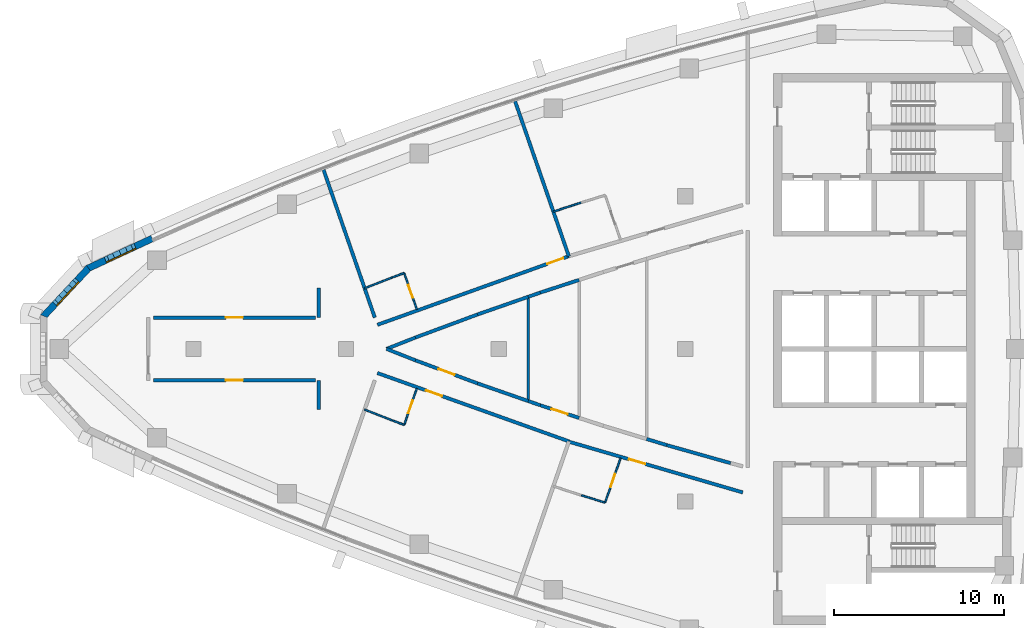
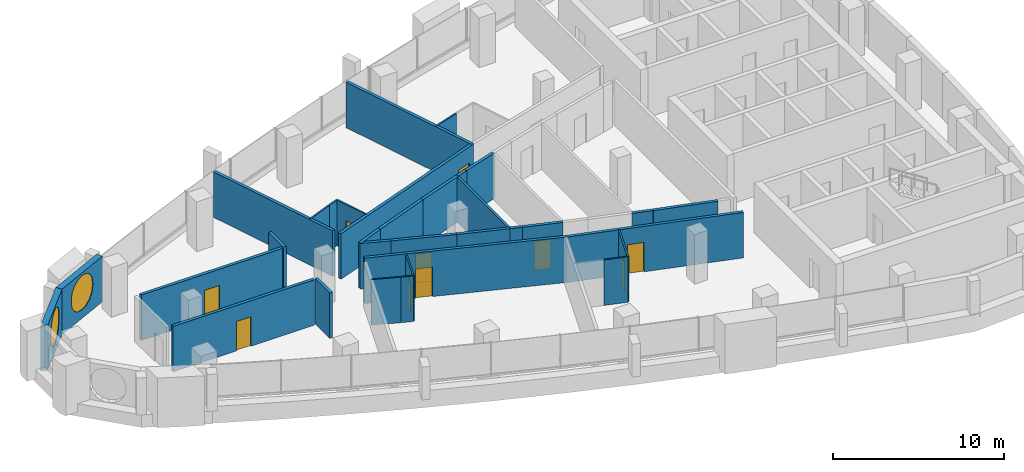
# One storey, part 7 of 14: 33 walls, 10 doors, 2 windows, 12 openings.
"""IFC4 building model written with IfcOpenShell, lengths in metres."""

from ifc_helpers import new_model, si_unit, direction, frame, frame_2d, origin, place, context, subcontext, project, spatial, polyline, rectangle, outline, extrude, material, layer, layer_set, type_object, element, fill, save


model = new_model("IFC4")

# Units and contexts
model_context = context("Model", 3, precision=1e-05, world=origin(), true_north=direction((0.0, 1.0)))
body_context = subcontext(model_context, "Body", "Model", "MODEL_VIEW")
ifc_project = project(units=[si_unit("LENGTHUNIT", "METRE"), si_unit("AREAUNIT", "SQUARE_METRE"), si_unit("VOLUMEUNIT", "CUBIC_METRE"), si_unit("PLANEANGLEUNIT", "RADIAN"), si_unit("MASSUNIT", "GRAM", prefix="KILO")], contexts=[model_context])

# Site, building, storey
site_placement = place(None, origin())
site = spatial("IfcSite", under=ifc_project, at=site_placement, CompositionType="ELEMENT")
building_placement = place(site_placement, origin())
building = spatial("IfcBuilding", under=site, at=building_placement, Name="Ostrand Prow Hotel Tower", CompositionType="ELEMENT")
storey_placement = place(building_placement, frame((0.0, 0.0, 278.550048828125)))
storey = spatial("IfcBuildingStorey", under=building, at=storey_placement, Name="L70", CompositionType="ELEMENT", Elevation=278.550048828125)

# Walls
ifc_material_1 = material(Name="Plasterboard partition")
ifc_layer_1 = layer(ifc_material_1, 0.10009765625)
ifc_layer_set_1 = layer_set([ifc_layer_1], Name="Plasterboard partition")
wall_type_1 = type_object("IfcWallType", Name="Partition 100 bathroom wall", PredefinedType="PARTITIONING", material=ifc_layer_set_1)
wall_1_placement = place(storey_placement, frame((26.095703125, 3.576171875, 0.0), z_axis=(0.0, 0.0, 1.0), x_axis=(0.930254925629, 0.366913850028, 0.0)))
element("IfcWall", 1, at=wall_1_placement, inside=storey, type_object=wall_type_1, Name="BATHROOM WALL", PredefinedType="PARTITIONING", context=body_context, shape_type="SweptSolid", body=[
    extrude(rectangle(XDim=1.760009765625, YDim=0.10009765625, at=frame_2d((0.8798828125, 0.0))), origin(), (0.0, 0.0, 1.0), 3.25),
])
wall_2_placement = place(storey_placement, frame((27.73291015625, 4.221923828125, 0.0), z_axis=(0.0, 0.0, 1.0), x_axis=(0.937514267289, 0.347946833049, 0.0)))
element("IfcWall", 2, at=wall_2_placement, inside=storey, type_object=wall_type_1, Name="BATHROOM WALL", PredefinedType="PARTITIONING", context=body_context, shape_type="SweptSolid", body=[
    extrude(rectangle(XDim=0.74169921875, YDim=0.10009765625, at=frame_2d((0.370849609375, 0.0))), origin(), (0.0, 0.0, 1.0), 3.25),
])

# Wall, opening, door
wall_3_placement = place(storey_placement, frame((28.42822265625, 4.47998046875, 0.0), z_axis=(0.0, 0.0, 1.0), x_axis=(0.327718024288, -0.944775579996, 0.0)))
wall_3 = element("IfcWall", 3, at=wall_3_placement, inside=storey, type_object=wall_type_1, Name="BATHROOM WALL", PredefinedType="PARTITIONING", context=body_context, shape_type="SweptSolid", body=[
    extrude(rectangle(XDim=2.27734375, YDim=0.10009765625, at=frame_2d((1.138671875, 0.0))), origin(), (0.0, 0.0, 1.0), 3.25),
])
opening_1_placement = place(wall_3_placement, frame((0.75, 0.0, 0.0)))
opening_1 = element("IfcOpeningElement", 4, at=opening_1_placement, cuts=wall_3, Name="Opening D2", PredefinedType="OPENING", context=body_context, shape_type="SweptSolid", body=[
    extrude(rectangle(XDim=0.800048828125, YDim=2.10009765625, at=frame_2d((0.39990234375, 1.050048828125))), frame((0.0, 0.06005859375, 0.0), z_axis=(0.0, -1.0, 0.0), x_axis=(1.0, 0.0, 0.0)), (0.0, 0.0, 1.0), 0.1201171875),
])
ifc_material_2 = material(Name="Timber door leaf", Category="wood")
door_type_1 = type_object("IfcDoorType", Name="Bathroom door 800", OperationType="SINGLE_SWING_LEFT", PredefinedType="DOOR", material=ifc_material_2)
door_1_placement = place(opening_1_placement, origin())
door_1 = element("IfcDoor", 5, at=door_1_placement, inside=storey, type_object=door_type_1, Name="DOOR", OperationType="SINGLE_SWING_LEFT", OverallHeight=2.10009765625, OverallWidth=0.800048828125, PredefinedType="DOOR", context=body_context, shape_type="SweptSolid", body=[
    extrude(rectangle(XDim=0.800048828125, YDim=2.10009765625, at=frame_2d((0.39990234375, 1.050048828125))), frame((0.0, 0.02490234375, 0.0), z_axis=(0.0, -1.0, 0.0), x_axis=(1.0, 0.0, 0.0)), (0.0, 0.0, 1.0), 0.050048828125),
])
fill(opening_1, door_1)

# Wall
wall_4_placement = place(storey_placement, frame((37.228515625, 8.09814453125, 0.0), z_axis=(0.0, 0.0, 1.0), x_axis=(0.950684866901, 0.31015848182, 0.0)))
element("IfcWall", 6, at=wall_4_placement, inside=storey, type_object=wall_type_1, Name="BATHROOM WALL", PredefinedType="PARTITIONING", context=body_context, shape_type="SweptSolid", body=[
    extrude(rectangle(XDim=1.739501953125, YDim=0.10009765625, at=frame_2d((0.86962890625, 0.0))), origin(), (0.0, 0.0, 1.0), 3.25),
])

# Wall, opening, door
wall_5_placement = place(storey_placement, frame((29.174560546875, -2.328369140625, 0.0), z_axis=(0.0, 0.0, 1.0), x_axis=(-0.327718024288, -0.944775579996, 0.0)))
wall_5 = element("IfcWall", 7, at=wall_5_placement, inside=storey, type_object=wall_type_1, Name="BATHROOM WALL", PredefinedType="PARTITIONING", context=body_context, shape_type="SweptSolid", body=[
    extrude(rectangle(XDim=2.27734375, YDim=0.10009765625, at=frame_2d((1.138671875, 0.0))), origin(), (0.0, 0.0, 1.0), 3.25),
])
opening_2_placement = place(wall_5_placement, frame((0.75, 0.0, 0.0)))
opening_2 = element("IfcOpeningElement", 8, at=opening_2_placement, cuts=wall_5, Name="Opening D2", PredefinedType="OPENING", context=body_context, shape_type="SweptSolid", body=[
    extrude(rectangle(XDim=0.800048828125, YDim=2.10009765625, at=frame_2d((0.39990234375, 1.050048828125))), frame((0.0, 0.06005859375, 0.0), z_axis=(0.0, -1.0, 0.0), x_axis=(1.0, 0.0, 0.0)), (0.0, 0.0, 1.0), 0.1201171875),
])
door_2_placement = place(opening_2_placement, origin())
door_2 = element("IfcDoor", 9, at=door_2_placement, inside=storey, type_object=door_type_1, Name="DOOR", OperationType="SINGLE_SWING_LEFT", OverallHeight=2.10009765625, OverallWidth=0.800048828125, PredefinedType="DOOR", context=body_context, shape_type="SweptSolid", body=[
    extrude(rectangle(XDim=0.800048828125, YDim=2.10009765625, at=frame_2d((0.39990234375, 1.050048828125))), frame((0.0, 0.02490234375, 0.0), z_axis=(0.0, -1.0, 0.0), x_axis=(1.0, 0.0, 0.0)), (0.0, 0.0, 1.0), 0.050048828125),
])
fill(opening_2, door_2)

# Walls
wall_6_placement = place(storey_placement, frame((28.42822265625, -4.47998046875, 0.0), z_axis=(0.0, 0.0, 1.0), x_axis=(-0.937514267289, 0.347946833049, 0.0)))
element("IfcWall", 10, at=wall_6_placement, inside=storey, type_object=wall_type_1, Name="BATHROOM WALL", PredefinedType="PARTITIONING", context=body_context, shape_type="SweptSolid", body=[
    extrude(rectangle(XDim=0.74169921875, YDim=0.10009765625, at=frame_2d((0.370849609375, 0.0))), origin(), (0.0, 0.0, 1.0), 3.25),
])
wall_7_placement = place(storey_placement, frame((27.73291015625, -4.221923828125, 0.0), z_axis=(0.0, 0.0, 1.0), x_axis=(-0.930254925629, 0.366913850028, 0.0)))
element("IfcWall", 11, at=wall_7_placement, inside=storey, type_object=wall_type_1, Name="BATHROOM WALL", PredefinedType="PARTITIONING", context=body_context, shape_type="SweptSolid", body=[
    extrude(rectangle(XDim=1.760009765625, YDim=0.10009765625, at=frame_2d((0.8798828125, 0.0))), origin(), (0.0, 0.0, 1.0), 3.25),
])

# Wall, opening, door
wall_8_placement = place(storey_placement, frame((41.191650390625, -6.437255859375, 0.0), z_axis=(0.0, 0.0, 1.0), x_axis=(-0.327695885805, -0.944783258968, 0.0)))
wall_8 = element("IfcWall", 12, at=wall_8_placement, inside=storey, type_object=wall_type_1, Name="BATHROOM WALL", PredefinedType="PARTITIONING", context=body_context, shape_type="SweptSolid", body=[
    extrude(rectangle(XDim=2.779052734375, YDim=0.10009765625, at=frame_2d((1.3896484375, 0.0))), origin(), (0.0, 0.0, 1.0), 3.25),
])
opening_3_placement = place(wall_8_placement, frame((1.0, 0.0, 0.0)))
opening_3 = element("IfcOpeningElement", 13, at=opening_3_placement, cuts=wall_8, Name="Opening D2", PredefinedType="OPENING", context=body_context, shape_type="SweptSolid", body=[
    extrude(rectangle(XDim=0.800048828125, YDim=2.10009765625, at=frame_2d((0.39990234375, 1.050048828125))), frame((0.0, 0.06005859375, 0.0), z_axis=(0.0, -1.0, 0.0), x_axis=(1.0, 0.0, 0.0)), (0.0, 0.0, 1.0), 0.1201171875),
])
door_3_placement = place(opening_3_placement, origin())
door_3 = element("IfcDoor", 14, at=door_3_placement, inside=storey, type_object=door_type_1, Name="DOOR", OperationType="SINGLE_SWING_LEFT", OverallHeight=2.10009765625, OverallWidth=0.800048828125, PredefinedType="DOOR", context=body_context, shape_type="SweptSolid", body=[
    extrude(rectangle(XDim=0.800048828125, YDim=2.10009765625, at=frame_2d((0.39990234375, 1.050048828125))), frame((0.0, 0.02490234375, 0.0), z_axis=(0.0, -1.0, 0.0), x_axis=(1.0, 0.0, 0.0)), (0.0, 0.0, 1.0), 0.050048828125),
])
fill(opening_3, door_3)

# Walls
wall_9_placement = place(storey_placement, frame((40.28076171875, -9.06298828125, 0.0), z_axis=(0.0, 0.0, 1.0), x_axis=(-0.956734544447, 0.290962216555, 0.0)))
element("IfcWall", 15, at=wall_9_placement, inside=storey, type_object=wall_type_1, Name="BATHROOM WALL", PredefinedType="PARTITIONING", context=body_context, shape_type="SweptSolid", body=[
    extrude(rectangle(XDim=1.461669921875, YDim=0.10009765625, at=frame_2d((0.73095703125, 0.0))), origin(), (0.0, 0.0, 1.0), 3.25),
])
ifc_material_3 = material(Name="Plasterboard partition")
ifc_layer_2 = layer(ifc_material_3, 0.14990234375)
ifc_layer_set_2 = layer_set([ifc_layer_2], Name="Plasterboard partition")
wall_type_2 = type_object("IfcWallType", Name="Partition 150 room partition", PredefinedType="PARTITIONING", material=ifc_layer_set_2)
wall_10_placement = place(storey_placement, frame((35.746337890625, -3.075927734375, 0.0), z_axis=(0.0, 0.0, 1.0), x_axis=(0.0, 1.0, 0.0)))
element("IfcWall", 16, at=wall_10_placement, inside=storey, type_object=wall_type_2, Name="ROOM PARTITION", PredefinedType="PARTITIONING", context=body_context, shape_type="SweptSolid", body=[
    extrude(rectangle(XDim=6.15185546875, YDim=0.14990234375, at=frame_2d((3.075927734375, 0.0))), origin(), (0.0, 0.0, 1.0), 3.25),
])

# Wall, opening, door
ifc_material_4 = material(Name="Plasterboard partition")
ifc_layer_3 = layer(ifc_material_4, 0.199951171875)
ifc_layer_set_3 = layer_set([ifc_layer_3], Name="Plasterboard partition")
wall_type_3 = type_object("IfcWallType", Name="Partition 200 corridor wall", PredefinedType="PARTITIONING", material=ifc_layer_set_3)
wall_11_placement = place(storey_placement, frame((13.63720703125, 1.85009765625, 0.0), z_axis=(0.0, 0.0, 1.0), x_axis=(1.0, 0.0, 0.0)))
wall_11 = element("IfcWall", 17, at=wall_11_placement, inside=storey, type_object=wall_type_3, Name="CORRIDOR WALL", PredefinedType="PARTITIONING", context=body_context, shape_type="SweptSolid", body=[
    extrude(rectangle(XDim=9.548583984375, YDim=0.199951171875, at=frame_2d((4.7744140625, 0.0))), origin(), (0.0, 0.0, 1.0), 3.25),
])
opening_4_placement = place(wall_11_placement, frame((4.2744140625, 0.0, 0.0)))
opening_4 = element("IfcOpeningElement", 18, at=opening_4_placement, cuts=wall_11, Name="Opening D1", PredefinedType="OPENING", context=body_context, shape_type="SweptSolid", body=[
    extrude(rectangle(XDim=1.0, YDim=2.10009765625, at=frame_2d((0.5, 1.050048828125))), frame((0.0, 0.10986328125, 0.0), z_axis=(0.0, -1.0, 0.0), x_axis=(1.0, 0.0, 0.0)), (0.0, 0.0, 1.0), 0.219970703125),
])
ifc_material_5 = material(Name="Timber door leaf", Category="wood")
door_type_2 = type_object("IfcDoorType", Name="Guest room door 1000", OperationType="SINGLE_SWING_LEFT", PredefinedType="DOOR", material=ifc_material_5)
door_4_placement = place(opening_4_placement, origin())
door_4 = element("IfcDoor", 19, at=door_4_placement, inside=storey, type_object=door_type_2, Name="DOOR", OperationType="SINGLE_SWING_LEFT", OverallHeight=2.10009765625, OverallWidth=1.0, PredefinedType="DOOR", context=body_context, shape_type="SweptSolid", body=[
    extrude(rectangle(XDim=1.0, YDim=2.10009765625, at=frame_2d((0.5, 1.050048828125))), frame((0.0, 0.02490234375, 0.0), z_axis=(0.0, -1.0, 0.0), x_axis=(1.0, 0.0, 0.0)), (0.0, 0.0, 1.0), 0.050048828125),
])
fill(opening_4, door_4)

wall_12_placement = place(storey_placement, frame((13.63720703125, -1.85009765625, 0.0), z_axis=(0.0, 0.0, 1.0), x_axis=(1.0, 0.0, 0.0)))
wall_12 = element("IfcWall", 20, at=wall_12_placement, inside=storey, type_object=wall_type_3, Name="CORRIDOR WALL", PredefinedType="PARTITIONING", context=body_context, shape_type="SweptSolid", body=[
    extrude(rectangle(XDim=9.548583984375, YDim=0.199951171875, at=frame_2d((4.7744140625, 0.0))), origin(), (0.0, 0.0, 1.0), 3.25),
])
opening_5_placement = place(wall_12_placement, frame((4.2744140625, 0.0, 0.0)))
opening_5 = element("IfcOpeningElement", 21, at=opening_5_placement, cuts=wall_12, Name="Opening D1R", PredefinedType="OPENING", context=body_context, shape_type="SweptSolid", body=[
    extrude(rectangle(XDim=1.0, YDim=2.10009765625, at=frame_2d((0.5, 1.050048828125))), frame((0.0, 0.10986328125, 0.0), z_axis=(0.0, -1.0, 0.0), x_axis=(1.0, 0.0, 0.0)), (0.0, 0.0, 1.0), 0.219970703125),
])
ifc_material_6 = material(Name="Timber door leaf", Category="wood")
door_type_3 = type_object("IfcDoorType", Name="Guest room door 1000 right", OperationType="SINGLE_SWING_RIGHT", PredefinedType="DOOR", material=ifc_material_6)
door_5_placement = place(opening_5_placement, origin())
door_5 = element("IfcDoor", 22, at=door_5_placement, inside=storey, type_object=door_type_3, Name="DOOR", OperationType="SINGLE_SWING_RIGHT", OverallHeight=2.10009765625, OverallWidth=1.0, PredefinedType="DOOR", context=body_context, shape_type="SweptSolid", body=[
    extrude(rectangle(XDim=1.0, YDim=2.10009765625, at=frame_2d((0.5, 1.050048828125))), frame((0.0, 0.02490234375, 0.0), z_axis=(0.0, -1.0, 0.0), x_axis=(1.0, 0.0, 0.0)), (0.0, 0.0, 1.0), 0.050048828125),
])
fill(opening_5, door_5)

wall_13_placement = place(storey_placement, frame((38.1396484375, 5.47119140625, 0.0), z_axis=(0.0, 0.0, 1.0), x_axis=(-0.94130914227, -0.337545698653, 0.0)))
wall_13 = element("IfcWall", 23, at=wall_13_placement, inside=storey, type_object=wall_type_3, Name="CORRIDOR WALL", PredefinedType="PARTITIONING", context=body_context, shape_type="SweptSolid", body=[
    extrude(rectangle(XDim=11.993408203125, YDim=0.199951171875, at=frame_2d((5.99658203125, 0.0))), origin(), (0.0, 0.0, 1.0), 3.25),
])
opening_6_placement = place(wall_13_placement, frame((0.35009765625, 0.0, 0.0)))
opening_6 = element("IfcOpeningElement", 24, at=opening_6_placement, cuts=wall_13, Name="Opening D1", PredefinedType="OPENING", context=body_context, shape_type="SweptSolid", body=[
    extrude(rectangle(XDim=1.0, YDim=2.10009765625, at=frame_2d((0.5, 1.050048828125))), frame((0.0, 0.10986328125, 0.0), z_axis=(0.0, -1.0, 0.0), x_axis=(1.0, 0.0, 0.0)), (0.0, 0.0, 1.0), 0.219970703125),
])
door_6_placement = place(opening_6_placement, origin())
door_6 = element("IfcDoor", 25, at=door_6_placement, inside=storey, type_object=door_type_2, Name="DOOR", OperationType="SINGLE_SWING_LEFT", OverallHeight=2.10009765625, OverallWidth=1.0, PredefinedType="DOOR", context=body_context, shape_type="SweptSolid", body=[
    extrude(rectangle(XDim=1.0, YDim=2.10009765625, at=frame_2d((0.5, 1.050048828125))), frame((0.0, 0.02490234375, 0.0), z_axis=(0.0, -1.0, 0.0), x_axis=(1.0, 0.0, 0.0)), (0.0, 0.0, 1.0), 0.050048828125),
])
fill(opening_6, door_6)

wall_14_placement = place(storey_placement, frame((26.85009765625, -1.4228515625, 0.0), z_axis=(0.0, 0.0, 1.0), x_axis=(0.941868496397, -0.335981748753, 0.0)))
wall_14 = element("IfcWall", 26, at=wall_14_placement, inside=storey, type_object=wall_type_3, Name="CORRIDOR WALL", PredefinedType="PARTITIONING", context=body_context, shape_type="SweptSolid", body=[
    extrude(rectangle(XDim=11.993408203125, YDim=0.199951171875, at=frame_2d((5.99658203125, 0.0))), origin(), (0.0, 0.0, 1.0), 3.25),
])
opening_7_placement = place(wall_14_placement, frame((3.050048828125, 0.0, 0.0)))
opening_7 = element("IfcOpeningElement", 27, at=opening_7_placement, cuts=wall_14, Name="Opening D1", PredefinedType="OPENING", context=body_context, shape_type="SweptSolid", body=[
    extrude(rectangle(XDim=1.0, YDim=2.10009765625, at=frame_2d((0.5, 1.050048828125))), frame((0.0, 0.10986328125, 0.0), z_axis=(0.0, -1.0, 0.0), x_axis=(1.0, 0.0, 0.0)), (0.0, 0.0, 1.0), 0.219970703125),
])
door_7_placement = place(opening_7_placement, origin())
door_7 = element("IfcDoor", 28, at=door_7_placement, inside=storey, type_object=door_type_2, Name="DOOR", OperationType="SINGLE_SWING_LEFT", OverallHeight=2.10009765625, OverallWidth=1.0, PredefinedType="DOOR", context=body_context, shape_type="SweptSolid", body=[
    extrude(rectangle(XDim=1.0, YDim=2.10009765625, at=frame_2d((0.5, 1.050048828125))), frame((0.0, 0.02490234375, 0.0), z_axis=(0.0, -1.0, 0.0), x_axis=(1.0, 0.0, 0.0)), (0.0, 0.0, 1.0), 0.050048828125),
])
fill(opening_7, door_7)

wall_15_placement = place(storey_placement, frame((32.759765625, -2.034912109375, 0.0), z_axis=(0.0, 0.0, 1.0), x_axis=(-0.937460178932, 0.348092534992, 0.0)))
wall_15 = element("IfcWall", 29, at=wall_15_placement, inside=storey, type_object=wall_type_3, Name="CORRIDOR WALL", PredefinedType="PARTITIONING", context=body_context, shape_type="SweptSolid", body=[
    extrude(rectangle(XDim=3.912841796875, YDim=0.199951171875, at=frame_2d((1.95654296875, 0.0))), origin(), (0.0, 0.0, 1.0), 3.25),
])
opening_8_placement = place(wall_15_placement, frame((1.45654296875, 0.0, 0.0)))
opening_8 = element("IfcOpeningElement", 30, at=opening_8_placement, cuts=wall_15, Name="Opening D1R", PredefinedType="OPENING", context=body_context, shape_type="SweptSolid", body=[
    extrude(rectangle(XDim=1.0, YDim=2.10009765625, at=frame_2d((0.5, 1.050048828125))), frame((0.0, 0.10986328125, 0.0), z_axis=(0.0, -1.0, 0.0), x_axis=(1.0, 0.0, 0.0)), (0.0, 0.0, 1.0), 0.219970703125),
])
door_8_placement = place(opening_8_placement, origin())
door_8 = element("IfcDoor", 31, at=door_8_placement, inside=storey, type_object=door_type_3, Name="DOOR", OperationType="SINGLE_SWING_RIGHT", OverallHeight=2.10009765625, OverallWidth=1.0, PredefinedType="DOOR", context=body_context, shape_type="SweptSolid", body=[
    extrude(rectangle(XDim=1.0, YDim=2.10009765625, at=frame_2d((0.5, 1.050048828125))), frame((0.0, 0.02490234375, 0.0), z_axis=(0.0, -1.0, 0.0), x_axis=(1.0, 0.0, 0.0)), (0.0, 0.0, 1.0), 0.050048828125),
])
fill(opening_8, door_8)

# Walls
for number, where, z_axis, x_axis, name in (
    (32, (29.091552734375, -0.6728515625, 0.0), (0.0, 0.0, 1.0), (-0.930265251482, 0.366887669302, 0.0), "CORRIDOR WALL"),
    (33, (27.385498046875, 0.0, 0.0), (0.0, 0.0, 1.0), (0.930265251482, 0.366887669302, 0.0), "CORRIDOR WALL"),
):
    element("IfcWall", number, at=place(storey_placement, frame(where, z_axis=z_axis, x_axis=x_axis)), inside=storey, type_object=wall_type_3, Name=name, PredefinedType="PARTITIONING", context=body_context, shape_type="SweptSolid", body=[
        extrude(rectangle(XDim=1.833984375, YDim=0.199951171875, at=frame_2d((0.9169921875, 0.0))), origin(), (0.0, 0.0, 1.0), 3.25),
    ])
wall_16_placement = place(storey_placement, frame((29.091552734375, 0.6728515625, 0.0), z_axis=(0.0, 0.0, 1.0), x_axis=(0.937460178932, 0.348092534992, 0.0)))
element("IfcWall", 34, at=wall_16_placement, inside=storey, type_object=wall_type_3, Name="CORRIDOR WALL", PredefinedType="PARTITIONING", context=body_context, shape_type="SweptSolid", body=[
    extrude(rectangle(XDim=3.912841796875, YDim=0.199951171875, at=frame_2d((1.95654296875, 0.0))), origin(), (0.0, 0.0, 1.0), 3.25),
])
for number, where, z_axis, x_axis, name in (
    (35, (32.759765625, 2.034912109375, 0.0), (0.0, 0.0, 1.0), (0.944279987428, 0.329143289986, 0.0), "CORRIDOR WALL"),
    (36, (35.746337890625, -3.075927734375, 0.0), (0.0, 0.0, 1.0), (-0.944279987428, 0.329143289986, 0.0), "CORRIDOR WALL"),
):
    element("IfcWall", number, at=place(storey_placement, frame(where, z_axis=z_axis, x_axis=x_axis)), inside=storey, type_object=wall_type_3, Name=name, PredefinedType="PARTITIONING", context=body_context, shape_type="SweptSolid", body=[
        extrude(rectangle(XDim=3.162841796875, YDim=0.199951171875, at=frame_2d((1.58154296875, 0.0))), origin(), (0.0, 0.0, 1.0), 3.25),
    ])

# Wall, opening, door
wall_17_placement = place(storey_placement, frame((38.746337890625, -4.0703125, 0.0), z_axis=(0.0, 0.0, 1.0), x_axis=(-0.950699334583, 0.310114132576, 0.0)))
wall_17 = element("IfcWall", 37, at=wall_17_placement, inside=storey, type_object=wall_type_3, Name="CORRIDOR WALL", PredefinedType="PARTITIONING", context=body_context, shape_type="SweptSolid", body=[
    extrude(rectangle(XDim=2.41064453125, YDim=0.199951171875, at=frame_2d((1.205322265625, 0.0))), origin(), (0.0, 0.0, 1.0), 3.25),
])
opening_9_placement = place(wall_17_placement, frame((0.705322265625, 0.0, 0.0)))
opening_9 = element("IfcOpeningElement", 38, at=opening_9_placement, cuts=wall_17, Name="Opening D1", PredefinedType="OPENING", context=body_context, shape_type="SweptSolid", body=[
    extrude(rectangle(XDim=1.0, YDim=2.10009765625, at=frame_2d((0.5, 1.050048828125))), frame((0.0, 0.10986328125, 0.0), z_axis=(0.0, -1.0, 0.0), x_axis=(1.0, 0.0, 0.0)), (0.0, 0.0, 1.0), 0.219970703125),
])
door_9_placement = place(opening_9_placement, origin())
door_9 = element("IfcDoor", 39, at=door_9_placement, inside=storey, type_object=door_type_2, Name="DOOR", OperationType="SINGLE_SWING_LEFT", OverallHeight=2.10009765625, OverallWidth=1.0, PredefinedType="DOOR", context=body_context, shape_type="SweptSolid", body=[
    extrude(rectangle(XDim=1.0, YDim=2.10009765625, at=frame_2d((0.5, 1.050048828125))), frame((0.0, 0.02490234375, 0.0), z_axis=(0.0, -1.0, 0.0), x_axis=(1.0, 0.0, 0.0)), (0.0, 0.0, 1.0), 0.050048828125),
])
fill(opening_9, door_9)

# Walls
for number, where, z_axis, x_axis, name in (
    (40, (36.45458984375, -3.32275390625, 0.0), (0.0, 0.0, 1.0), (-0.944299015519, 0.329088695171, 0.0), "CORRIDOR WALL"),
    (41, (35.746337890625, 3.075927734375, 0.0), (0.0, 0.0, 1.0), (0.944299015519, 0.329088695171, 0.0), "CORRIDOR WALL"),
):
    element("IfcWall", number, at=place(storey_placement, frame(where, z_axis=z_axis, x_axis=x_axis)), inside=storey, type_object=wall_type_3, Name=name, PredefinedType="PARTITIONING", context=body_context, shape_type="SweptSolid", body=[
        extrude(rectangle(XDim=0.75, YDim=0.199951171875, at=frame_2d((0.375, 0.0))), origin(), (0.0, 0.0, 1.0), 3.25),
    ])
wall_18_placement = place(storey_placement, frame((36.45458984375, 3.32275390625, 0.0), z_axis=(0.0, 0.0, 1.0), x_axis=(0.950699334583, 0.310114132576, 0.0)))
element("IfcWall", 42, at=wall_18_placement, inside=storey, type_object=wall_type_3, Name="CORRIDOR WALL", PredefinedType="PARTITIONING", context=body_context, shape_type="SweptSolid", body=[
    extrude(rectangle(XDim=2.41064453125, YDim=0.199951171875, at=frame_2d((1.205322265625, 0.0))), origin(), (0.0, 0.0, 1.0), 3.25),
])
wall_19_placement = place(storey_placement, frame((47.684326171875, -6.737548828125, 0.0), z_axis=(0.0, 0.0, 1.0), x_axis=(-0.962411212211, 0.271596499628, 0.0)))
element("IfcWall", 43, at=wall_19_placement, inside=storey, type_object=wall_type_3, Name="CORRIDOR WALL", PredefinedType="PARTITIONING", context=body_context, shape_type="SweptSolid", body=[
    extrude(rectangle(XDim=3.912841796875, YDim=0.199951171875, at=frame_2d((1.95654296875, 0.0))), origin(), (0.0, 0.0, 1.0), 3.25),
])
wall_20_placement = place(storey_placement, frame((43.91845703125, -5.6748046875, 0.0), z_axis=(0.0, 0.0, 1.0), x_axis=(-0.956690508666, 0.291106974546, 0.0)))
element("IfcWall", 44, at=wall_20_placement, inside=storey, type_object=wall_type_3, Name="CORRIDOR WALL", PredefinedType="PARTITIONING", context=body_context, shape_type="SweptSolid", body=[
    extrude(rectangle(XDim=1.24462890625, YDim=0.199951171875, at=frame_2d((0.622314453125, 0.0))), origin(), (0.0, 0.0, 1.0), 3.25),
])

# Wall, opening, door
wall_21_placement = place(storey_placement, frame((38.1396484375, -5.47119140625, 0.0), z_axis=(0.0, 0.0, 1.0), x_axis=(0.95996673497, -0.280114026339, 0.0)))
wall_21 = element("IfcWall", 45, at=wall_21_placement, inside=storey, type_object=wall_type_3, Name="CORRIDOR WALL", PredefinedType="PARTITIONING", context=body_context, shape_type="SweptSolid", body=[
    extrude(rectangle(XDim=10.688232421875, YDim=0.199951171875, at=frame_2d((5.34423828125, 0.0))), origin(), (0.0, 0.0, 1.0), 3.25),
])
opening_10_placement = place(wall_21_placement, frame((3.699951171875, 0.0, 0.0)))
opening_10 = element("IfcOpeningElement", 46, at=opening_10_placement, cuts=wall_21, Name="Opening D1", PredefinedType="OPENING", context=body_context, shape_type="SweptSolid", body=[
    extrude(rectangle(XDim=1.0, YDim=2.10009765625, at=frame_2d((0.5, 1.050048828125))), frame((0.0, 0.10986328125, 0.0), z_axis=(0.0, -1.0, 0.0), x_axis=(1.0, 0.0, 0.0)), (0.0, 0.0, 1.0), 0.219970703125),
])
door_10_placement = place(opening_10_placement, origin())
door_10 = element("IfcDoor", 47, at=door_10_placement, inside=storey, type_object=door_type_2, Name="DOOR", OperationType="SINGLE_SWING_LEFT", OverallHeight=2.10009765625, OverallWidth=1.0, PredefinedType="DOOR", context=body_context, shape_type="SweptSolid", body=[
    extrude(rectangle(XDim=1.0, YDim=2.10009765625, at=frame_2d((0.5, 1.050048828125))), frame((0.0, 0.02490234375, 0.0), z_axis=(0.0, -1.0, 0.0), x_axis=(1.0, 0.0, 0.0)), (0.0, 0.0, 1.0), 0.050048828125),
])
fill(opening_10, door_10)

# Walls
wall_22_placement = place(storey_placement, frame((23.3857421875, 3.580322265625, 0.0), z_axis=(0.0, 0.0, 1.0), x_axis=(0.0, -1.0, 0.0)))
element("IfcWall", 48, at=wall_22_placement, inside=storey, type_object=wall_type_3, Name="CORRIDOR WALL", PredefinedType="PARTITIONING", context=body_context, shape_type="SweptSolid", body=[
    extrude(rectangle(XDim=1.725341796875, YDim=0.199951171875, at=frame_2d((0.86279296875, 0.0))), origin(), (0.0, 0.0, 1.0), 3.25),
])
wall_23_placement = place(storey_placement, frame((23.3857421875, -1.85498046875, 0.0), z_axis=(0.0, 0.0, 1.0), x_axis=(0.0, -1.0, 0.0)))
element("IfcWall", 49, at=wall_23_placement, inside=storey, type_object=wall_type_3, Name="CORRIDOR WALL", PredefinedType="PARTITIONING", context=body_context, shape_type="SweptSolid", body=[
    extrude(rectangle(XDim=1.71533203125, YDim=0.199951171875, at=frame_2d((0.857666015625, 0.0))), origin(), (0.0, 0.0, 1.0), 3.25),
])
ifc_material_7 = material(Name="Plasterboard partition")
ifc_layer_4 = layer(ifc_material_7, 0.199951171875)
ifc_layer_set_4 = layer_set([ifc_layer_4], Name="Plasterboard partition")
wall_type_4 = type_object("IfcWallType", Name="Partition 200 key partition", PredefinedType="PARTITIONING", material=ifc_layer_set_4)
wall_24_placement = place(storey_placement, frame((26.6943359375, 1.85009765625, 0.0), z_axis=(0.0, 0.0, 1.0), x_axis=(-0.327714422317, 0.944776829418, 0.0)))
element("IfcWall", 50, at=wall_24_placement, inside=storey, type_object=wall_type_4, Name="KEY PARTITION", PredefinedType="PARTITIONING", context=body_context, shape_type="SweptSolid", body=[
    extrude(rectangle(XDim=9.2333984375, YDim=0.199951171875, at=frame_2d((4.61669921875, 0.0))), origin(), (0.0, 0.0, 1.0), 3.25),
])
wall_25_placement = place(storey_placement, frame((38.146240234375, 5.452392578125, 0.0), z_axis=(0.0, 0.0, 1.0), x_axis=(-0.327725028322, 0.94477315045, 0.0)))
element("IfcWall", 51, at=wall_25_placement, inside=storey, type_object=wall_type_4, Name="KEY PARTITION", PredefinedType="PARTITIONING", context=body_context, shape_type="SweptSolid", body=[
    extrude(rectangle(XDim=9.70166015625, YDim=0.199951171875, at=frame_2d((4.850830078125, 0.0))), origin(), (0.0, 0.0, 1.0), 3.25),
])

# Wall, opening, window
ifc_material_8 = material(Name="Precast concrete C40/50", Category="concrete")
ifc_layer_5 = layer(ifc_material_8, 0.39990234375)
ifc_layer_set_5 = layer_set([ifc_layer_5], Name="Precast concrete C40/50")
wall_type_5 = type_object("IfcWallType", Name="Stone-faced precast wall 400 mm", PredefinedType="NOTDEFINED", material=ifc_layer_set_5)
wall_26_placement = place(storey_placement, frame((13.55859375, 6.5146484375, 0.0), z_axis=(0.0, 0.0, 1.0), x_axis=(-0.906485602396, -0.42223672584, 0.0)))
wall_26 = element("IfcWall", 52, at=wall_26_placement, inside=storey, type_object=wall_type_5, Name="Stone-faced wall prow 1", PredefinedType="NOTDEFINED", context=body_context, shape_type="SweptSolid", body=[
    extrude(outline(polyline([(0.0, -0.199951171875), (4.1806640625, -0.199951171875), (4.1025390625, 0.199951171875), (0.0, 0.199951171875), (0.0, -0.199951171875)])), origin(), (0.0, 0.0, 1.0), 3.25),
])
opening_11_placement = place(wall_26_placement, frame((0.970947265625, 0.0, 0.60009765625)))
opening_11 = element("IfcOpeningElement", 53, at=opening_11_placement, cuts=wall_26, Name="Opening WP1", PredefinedType="OPENING", context=body_context, shape_type="SweptSolid", body=[
    extrude(outline(polyline([(0.0, 1.35009765625), (0.083740234375, 1.77099609375), (0.322265625, 2.127685546875), (0.678955078125, 2.3662109375), (1.10009765625, 2.449951171875), (1.52099609375, 2.3662109375), (1.877685546875, 2.127685546875), (2.1162109375, 1.77099609375), (2.199951171875, 1.35009765625), (2.199951171875, 1.10009765625), (2.1162109375, 0.678955078125), (1.877685546875, 0.322265625), (1.52099609375, 0.083740234375), (1.10009765625, 0.0), (0.678955078125, 0.083740234375), (0.322265625, 0.322265625), (0.083740234375, 0.678955078125), (0.0, 1.099853515625), (0.0, 1.35009765625)])), frame((0.0, 0.2099609375, 0.0), z_axis=(0.0, -1.0, 0.0), x_axis=(1.0, 0.0, 0.0)), (0.0, 0.0, 1.0), 0.419921875),
])
ifc_material_9 = material(Name="Insulated glass in bronze frame", Category="glass")
window_type = type_object("IfcWindowType", Name="Round-ended prow window 2200x2450", PartitioningType="SINGLE_PANEL", PredefinedType="WINDOW", material=ifc_material_9)
window_1_placement = place(opening_11_placement, origin())
window_1 = element("IfcWindow", 54, at=window_1_placement, inside=storey, type_object=window_type, Name="Window prow 1.1", OverallHeight=2.449951171875, OverallWidth=2.199951171875, PartitioningType="SINGLE_PANEL", PredefinedType="WINDOW", context=body_context, shape_type="SweptSolid", body=[
    extrude(outline(polyline([(0.0, 1.35009765625), (0.083740234375, 1.77099609375), (0.322265625, 2.127685546875), (0.678955078125, 2.3662109375), (1.10009765625, 2.449951171875), (1.52099609375, 2.3662109375), (1.877685546875, 2.127685546875), (2.1162109375, 1.77099609375), (2.199951171875, 1.35009765625), (2.199951171875, 1.10009765625), (2.1162109375, 0.678955078125), (1.877685546875, 0.322265625), (1.52099609375, 0.083740234375), (1.10009765625, 0.0), (0.678955078125, 0.083740234375), (0.322265625, 0.322265625), (0.083740234375, 0.678955078125), (0.0, 1.099853515625), (0.0, 1.35009765625)])), frame((0.0, 0.169921875, 0.0), z_axis=(0.0, -1.0, 0.0), x_axis=(1.0, 0.0, 0.0)), (0.0, 0.0, 1.0), 0.06005859375),
])
fill(opening_11, window_1)

wall_27_placement = place(storey_placement, frame((9.80419921875, 4.765869140625, 0.0), z_axis=(0.0, 0.0, 1.0), x_axis=(-0.6815467277, -0.73177459505, 0.0)))
wall_27 = element("IfcWall", 55, at=wall_27_placement, inside=storey, type_object=wall_type_5, Name="Stone-faced wall prow 2", PredefinedType="NOTDEFINED", context=body_context, shape_type="SweptSolid", body=[
    extrude(outline(polyline([(-0.0390625, -0.199951171875), (3.94775390625, -0.199951171875), (3.79052734375, 0.199951171875), (0.0390625, 0.199951171875), (-0.0390625, -0.199951171875)])), origin(), (0.0, 0.0, 1.0), 3.25),
])
opening_12_placement = place(wall_27_placement, frame((0.834716796875, 0.0, 0.60009765625)))
opening_12 = element("IfcOpeningElement", 56, at=opening_12_placement, cuts=wall_27, Name="Opening WP1", PredefinedType="OPENING", context=body_context, shape_type="SweptSolid", body=[
    extrude(outline(polyline([(0.0, 1.35009765625), (0.083740234375, 1.77099609375), (0.322265625, 2.127685546875), (0.678955078125, 2.3662109375), (1.10009765625, 2.449951171875), (1.52099609375, 2.3662109375), (1.877685546875, 2.127685546875), (2.1162109375, 1.77099609375), (2.199951171875, 1.35009765625), (2.199951171875, 1.10009765625), (2.1162109375, 0.678955078125), (1.877685546875, 0.322265625), (1.52099609375, 0.083740234375), (1.10009765625, 0.0), (0.678955078125, 0.083740234375), (0.322265625, 0.322265625), (0.083740234375, 0.678955078125), (0.0, 1.099853515625), (0.0, 1.35009765625)])), frame((0.0, 0.2099609375, 0.0), z_axis=(0.0, -1.0, 0.0), x_axis=(1.0, 0.0, 0.0)), (0.0, 0.0, 1.0), 0.419921875),
])
window_2_placement = place(opening_12_placement, origin())
window_2 = element("IfcWindow", 57, at=window_2_placement, inside=storey, type_object=window_type, Name="Window prow 2.1", OverallHeight=2.449951171875, OverallWidth=2.199951171875, PartitioningType="SINGLE_PANEL", PredefinedType="WINDOW", context=body_context, shape_type="SweptSolid", body=[
    extrude(outline(polyline([(0.0, 1.35009765625), (0.083740234375, 1.77099609375), (0.322265625, 2.127685546875), (0.678955078125, 2.3662109375), (1.10009765625, 2.449951171875), (1.52099609375, 2.3662109375), (1.877685546875, 2.127685546875), (2.1162109375, 1.77099609375), (2.199951171875, 1.35009765625), (2.199951171875, 1.10009765625), (2.1162109375, 0.678955078125), (1.877685546875, 0.322265625), (1.52099609375, 0.083740234375), (1.10009765625, 0.0), (0.678955078125, 0.083740234375), (0.322265625, 0.322265625), (0.083740234375, 0.678955078125), (0.0, 1.099853515625), (0.0, 1.35009765625)])), frame((0.0, 0.169921875, 0.0), z_axis=(0.0, -1.0, 0.0), x_axis=(1.0, 0.0, 0.0)), (0.0, 0.0, 1.0), 0.06005859375),
])
fill(opening_12, window_2)

save(model, "model.ifc")
